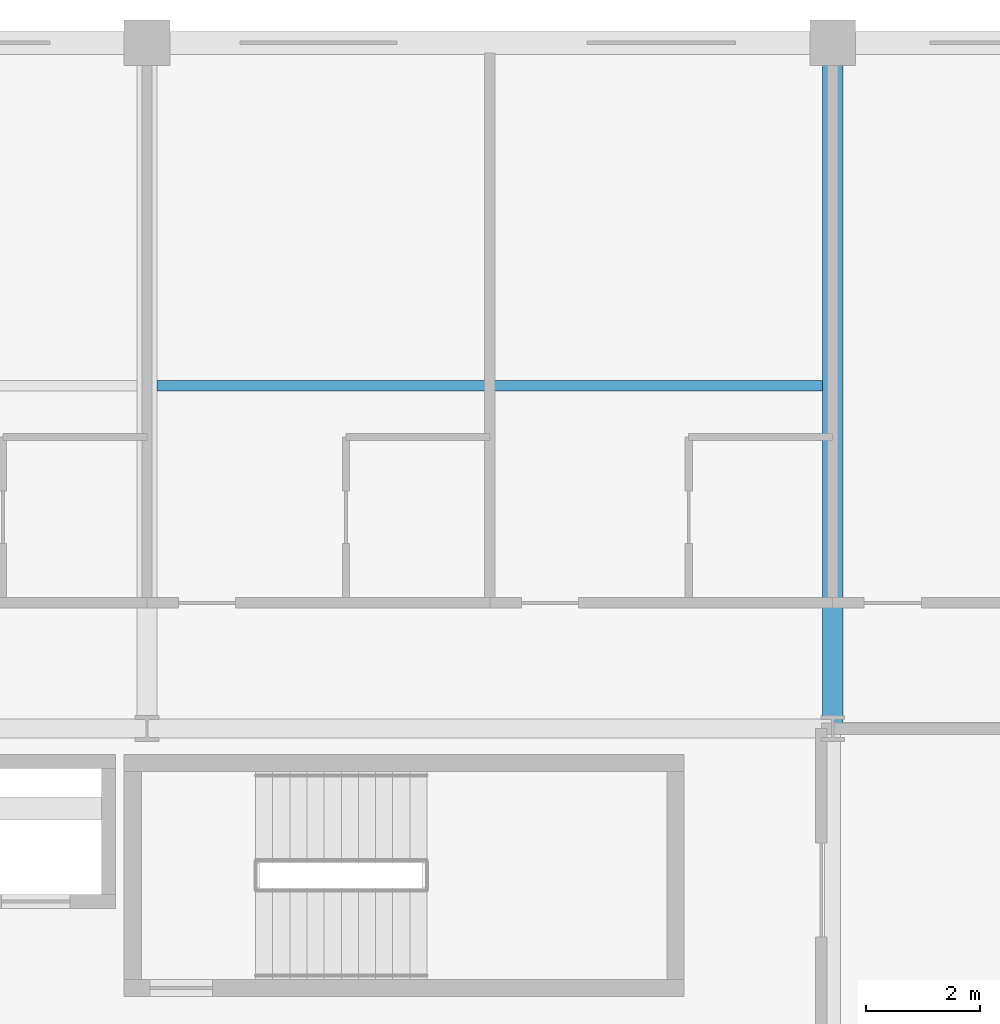
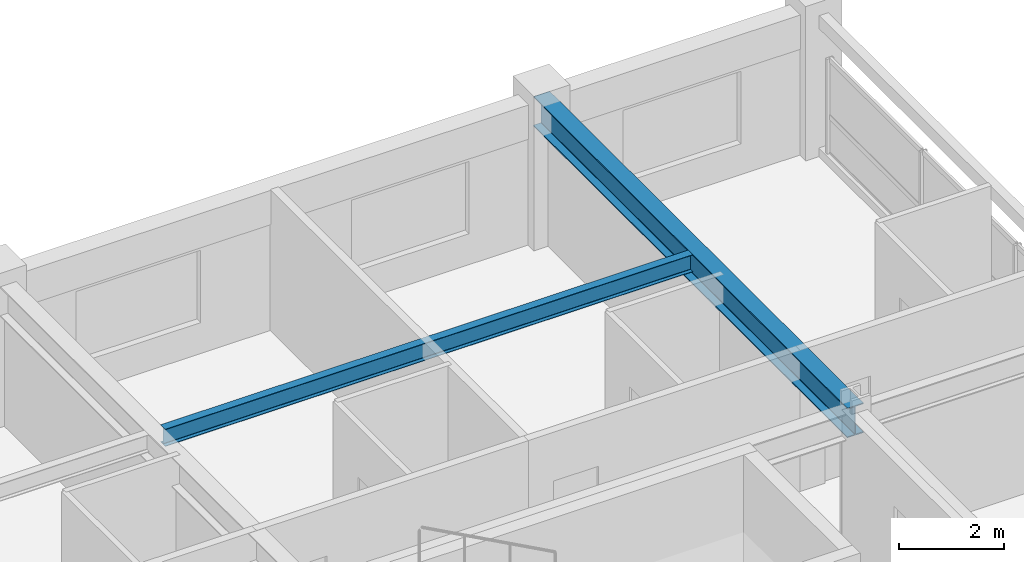
# One storey, part 15 of 26: 2 beams.
"""IFC4 building model written with IfcOpenShell, lengths in metres."""

import ifcopenshell
import ifcopenshell.guid

model = None  # the IFC model being written
_history = None  # IfcOwnerHistory: only IFC2X3 demands one
_inside = {}  # id of a spatial element -> (the spatial element, [elements in it])
_under = {}  # id of a project, library or spatial element -> (it, [spatial elements below it])
_declared = {}  # id of a project -> (the project, [libraries it declares])
_typed = {}  # id of a type object -> (the type object, [elements of that type])
_made_of = {}  # id of a material, layer set ... -> (it, [elements and type objects made of it])


def new_model(schema):
    """Start an empty IFC model of exactly this schema.

    Asked for "IFC4X3", IfcOpenShell would pick the latest addendum, in which some entities
    have other attributes; the version numbers below select the first issue.
    IFC2X3 requires an IfcOwnerHistory on every rooted entity: one is made here for all.
    """
    global model, _history
    if schema == "IFC4X3":
        model = ifcopenshell.file(schema_version=(4, 3, 0, 0))
    else:
        model = ifcopenshell.file(schema=schema)
    _inside.clear()
    _under.clear()
    _declared.clear()
    _typed.clear()
    _made_of.clear()
    _history = None
    if model.schema == "IFC2X3":
        org = make("IfcOrganization", Name="unknown")
        user = make(
            "IfcPersonAndOrganization",
            ThePerson=make("IfcPerson", FamilyName="unknown"),
            TheOrganization=org,
        )
        app = make(
            "IfcApplication",
            ApplicationDeveloper=org,
            Version="unknown",
            ApplicationFullName="unknown",
            ApplicationIdentifier="unknown",
        )
        _history = make(
            "IfcOwnerHistory",
            OwningUser=user,
            OwningApplication=app,
            ChangeAction="ADDED",
            CreationDate=0,
        )
    return model


def make(cls, **values):
    """One entity of the class cls with the attributes given. An attribute that is None is left unset."""
    return model.create_entity(
        cls, **{name: value for name, value in values.items() if value is not None}
    )


def rooted(cls, **values):
    """An entity with a GlobalId (a new one), such as an element, a storey or a relation."""
    return make(cls, GlobalId=ifcopenshell.guid.new(), OwnerHistory=_history, **values)


def si_unit(unit_type, name, prefix=None):
    """IfcSIUnit, for example si_unit("LENGTHUNIT", "METRE", prefix="MILLI")."""
    return make("IfcSIUnit", UnitType=unit_type, Prefix=prefix, Name=name)


def assignment(units):
    """IfcUnitAssignment: the units of a project."""
    return None if units is None else make("IfcUnitAssignment", Units=units)


def point(xyz):
    """IfcCartesianPoint."""
    return None if xyz is None else make("IfcCartesianPoint", Coordinates=xyz)


def direction(xyz):
    """IfcDirection."""
    return None if xyz is None else make("IfcDirection", DirectionRatios=xyz)


def frame(location, z_axis=None, x_axis=None):
    """IfcAxis2Placement3D, a coordinate frame: its origin and axes. An axis left out is left unset."""
    return make(
        "IfcAxis2Placement3D",
        Location=point(location),
        Axis=direction(z_axis),
        RefDirection=direction(x_axis),
    )


def frame_2d(location, x_axis=None):
    """IfcAxis2Placement2D, a coordinate frame in the plane: its origin and x axis."""
    return make(
        "IfcAxis2Placement2D", Location=point(location), RefDirection=direction(x_axis)
    )


def origin():
    """The frame at (0, 0, 0) with its axes left unset."""
    return frame((0.0, 0.0, 0.0))


def origin_2d():
    """The frame at (0, 0) in the plane with its x axis left unset."""
    return frame_2d((0.0, 0.0))


def place(relative_to, where):
    """IfcLocalPlacement: puts the frame where relative to a parent placement (None: the world)."""
    return make(
        "IfcLocalPlacement", PlacementRelTo=relative_to, RelativePlacement=where
    )


def context(
    kind, dimensions, precision=None, world=None, true_north=None, identifier=None
):
    """IfcGeometricRepresentationContext, for example the 3D "Model" context."""
    return make(
        "IfcGeometricRepresentationContext",
        ContextIdentifier=identifier,
        ContextType=kind,
        CoordinateSpaceDimension=dimensions,
        Precision=precision,
        WorldCoordinateSystem=world,
        TrueNorth=true_north,
    )


def subcontext(parent, identifier, kind, view, scale=None):
    """IfcGeometricRepresentationSubContext, for example "Body" below "Model"."""
    return make(
        "IfcGeometricRepresentationSubContext",
        ContextIdentifier=identifier,
        ContextType=kind,
        ParentContext=parent,
        TargetScale=scale,
        TargetView=view,
    )


def project(units=None, contexts=None):
    """IfcProject with its units and contexts."""
    return rooted(
        "IfcProject",
        Name="project",
        RepresentationContexts=contexts,
        UnitsInContext=assignment(units),
    )


def spatial(cls, under=None, at=None, **own):
    """A site, building, storey or space (cls), placed at a placement, below another one or the project."""
    s = rooted(cls, ObjectPlacement=at, **own)
    if under is not None:
        _under.setdefault(under.id(), (under, []))[1].append(s)
    return s


def profile(cls, at=None, kind="AREA", **sizes):
    """A parametric profile (cls). Its sizes go by their IFC names, for example OverallWidth=200.0."""
    return make(cls, ProfileType=kind, Position=at, **sizes)


def i_section(**sizes):
    """IfcIShapeProfileDef."""
    return profile("IfcIShapeProfileDef", **sizes)


def extrude(swept, where, along, depth):
    """IfcExtrudedAreaSolid: the profile swept, set in the frame where, extruded along a direction by depth."""
    return make(
        "IfcExtrudedAreaSolid",
        SweptArea=swept,
        Position=where,
        ExtrudedDirection=direction(along),
        Depth=depth,
    )


def shape(context_of_items, identifier, shape_type, items):
    """IfcShapeRepresentation: the items that make up one representation, for example the "Body"."""
    return make(
        "IfcShapeRepresentation",
        ContextOfItems=context_of_items,
        RepresentationIdentifier=identifier,
        RepresentationType=shape_type,
        Items=items,
    )


def material(Name=None, Category=None):
    """IfcMaterial."""
    return make("IfcMaterial", Name=Name, Category=Category)


def material_profile(
    of_material, cross_section, Name=None, Category=None, Priority=None
):
    """IfcMaterialProfile: a cross section and its material."""
    return make(
        "IfcMaterialProfile",
        Name=Name,
        Material=of_material,
        Profile=cross_section,
        Priority=Priority,
        Category=Category,
    )


def profile_set(profiles, Name=None, composite=None):
    """IfcMaterialProfileSet."""
    return make(
        "IfcMaterialProfileSet",
        Name=Name,
        MaterialProfiles=profiles,
        CompositeProfile=composite,
    )


def made_of(thing, what):
    """Note that an element or type object is made of a material, layer set ...; save() writes the relation."""
    if what is not None:
        _made_of.setdefault(what.id(), (what, []))[1].append(thing)
    return thing


def type_object(cls, material=None, **own):
    """A type object (cls), such as IfcWallType, which elements share."""
    return made_of(rooted(cls, **own), material)


def element(
    cls,
    number,
    at=None,
    inside=None,
    cuts=None,
    type_object=None,
    material=None,
    context=None,
    identifier="Body",
    shape_type=None,
    held_by="IfcProductDefinitionShape",
    body=None,
    shapes=None,
    **own,
):
    """One element of the class cls, such as IfcWall. Its Tag is "e" and its number.

    at: its placement. inside: the storey or other place that contains it. cuts: it is an
    opening in that element (IfcRelVoidsElement). A single representation is given by context,
    identifier, shape_type and body (its items); several are given by shapes. held_by: the class
    of the entity that holds the representations. save() writes the other relations.
    """
    e = rooted(cls, Tag="e%d" % number, ObjectPlacement=at, **own)
    if body is not None:
        shapes = [shape(context, identifier, shape_type, body)]
    if shapes is not None:
        e.Representation = make(held_by, Representations=shapes)
    if inside is not None:
        _inside.setdefault(inside.id(), (inside, []))[1].append(e)
    if cuts is not None:
        rooted(
            "IfcRelVoidsElement", RelatingBuildingElement=cuts, RelatedOpeningElement=e
        )
    if type_object is not None:
        _typed.setdefault(type_object.id(), (type_object, []))[1].append(e)
    return made_of(e, material)


def aggregate(whole, parts):
    """IfcRelAggregates: a whole, such as a stair, and the parts it consists of."""
    return rooted("IfcRelAggregates", RelatingObject=whole, RelatedObjects=parts)


def save(model, path):
    """Write the relations noted so far, then the file.

    IfcRelAggregates (storeys below a building ...), IfcRelContainedInSpatialStructure (elements
    in a storey), IfcRelDefinesByType, IfcRelAssociatesMaterial and IfcRelDeclares: one each for
    every whole, place, type object, material and project.
    """
    for whole, parts in _under.values():
        aggregate(whole, parts)
    for where, things in _inside.values():
        rooted(
            "IfcRelContainedInSpatialStructure",
            RelatedElements=things,
            RelatingStructure=where,
        )
    for kind, things in _typed.values():
        rooted("IfcRelDefinesByType", RelatedObjects=things, RelatingType=kind)
    for what, things in _made_of.values():
        rooted("IfcRelAssociatesMaterial", RelatedObjects=things, RelatingMaterial=what)
    for by, libraries in _declared.values():
        rooted("IfcRelDeclares", RelatingContext=by, RelatedDefinitions=libraries)
    model.write(path)


model = new_model("IFC4")

# Units and contexts
model_context = context("Model", 3, precision=1e-05, world=origin(), true_north=direction((0.0, 1.0)))
body_context = subcontext(model_context, "Body", "Model", "MODEL_VIEW")
ifc_project = project(units=[si_unit("LENGTHUNIT", "METRE"), si_unit("AREAUNIT", "SQUARE_METRE"), si_unit("VOLUMEUNIT", "CUBIC_METRE"), si_unit("PLANEANGLEUNIT", "RADIAN"), si_unit("MASSUNIT", "GRAM", prefix="KILO")], contexts=[model_context])

# Site, building, storey
site_placement = place(None, origin())
site = spatial("IfcSite", under=ifc_project, at=site_placement, CompositionType="ELEMENT")
building_placement = place(site_placement, origin())
building = spatial("IfcBuilding", under=site, at=building_placement, Name="Kaldorvane Square Convention Centre", CompositionType="ELEMENT")
storey_placement = place(building_placement, frame((0.0, 0.0, 45.600006103515625)))
storey = spatial("IfcBuildingStorey", under=building, at=storey_placement, Name="L10", CompositionType="ELEMENT", Elevation=45.600006103515625)

# Beams
ifc_material = material(Name="Steel ASTM A992 Gr. 50", Category="steel")
ifc_material_profile_1 = material_profile(ifc_material, i_section(OverallWidth=0.354705810546875, OverallDepth=0.69549560546875, WebThickness=0.0153961181640625, FlangeThickness=0.0251007080078125, FilletRadius=0.01519775390625, at=origin_2d()), Name="W27X146")
ifc_profile_set_1 = profile_set([ifc_material_profile_1], Name="Steel ASTM A992 Gr. 50")
beam_type_1 = type_object("IfcBeamType", Name="BM-GR-W27X146", PredefinedType="BEAM", material=ifc_profile_set_1)
beam_1_placement = place(storey_placement, frame((78.0, 105.0, 2.93829345703125), z_axis=(0.0, 1.0, 0.0), x_axis=(-1.0, 0.0, 0.0)))
element("IfcBeam", 1, at=beam_1_placement, inside=storey, type_object=beam_type_1, Name="Transverse Girder (L10)", PredefinedType="BEAM", context=body_context, shape_type="SweptSolid", body=[
    extrude(i_section(OverallWidth=0.354705810546875, OverallDepth=0.69549560546875, WebThickness=0.0153961181640625, FlangeThickness=0.0251007080078125, FilletRadius=0.01519775390625, at=origin_2d()), origin(), (0.0, 0.0, 1.0), 12.0),
])
ifc_material_profile_2 = material_profile(ifc_material, i_section(OverallWidth=0.177398681640625, OverallDepth=0.403106689453125, WebThickness=0.00750732421875, FlangeThickness=0.010894775390625, FilletRadius=0.01019287109375, at=origin_2d()), Name="W16X36")
ifc_profile_set_2 = profile_set([ifc_material_profile_2], Name="Steel ASTM A992 Gr. 50")
beam_type_2 = type_object("IfcBeamType", Name="BM-JS-W16X36", PredefinedType="JOIST", material=ifc_profile_set_2)
beam_2_placement = place(storey_placement, frame((66.17739868164062, 111.0, 3.0844879150390625), z_axis=(1.0, 0.0, 0.0), x_axis=(0.0, 1.0, 0.0)))
element("IfcBeam", 2, at=beam_2_placement, inside=storey, type_object=beam_type_2, Name="Secondary Floor Joist (L10)", PredefinedType="JOIST", context=body_context, shape_type="SweptSolid", body=[
    extrude(i_section(OverallWidth=0.177398681640625, OverallDepth=0.403106689453125, WebThickness=0.00750732421875, FlangeThickness=0.010894775390625, FilletRadius=0.01019287109375, at=origin_2d()), origin(), (0.0, 0.0, 1.0), 11.64520263671875),
])

save(model, "model.ifc")
